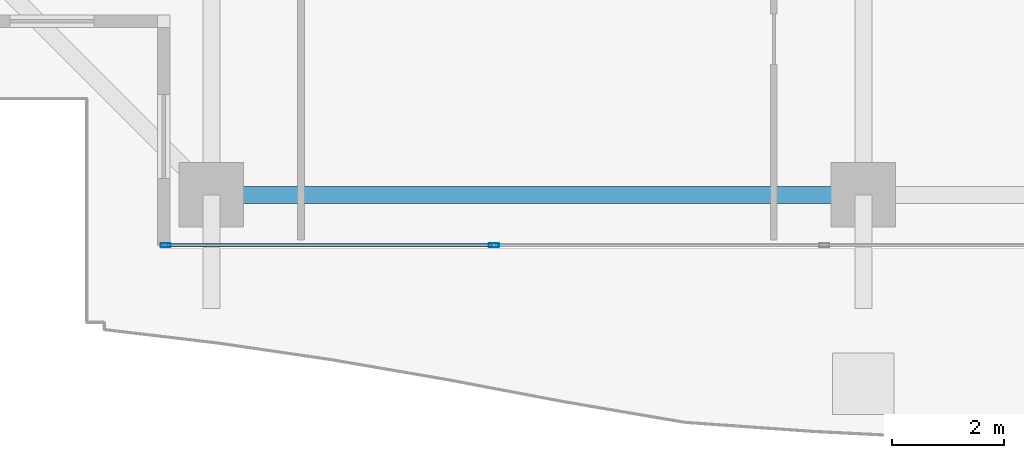
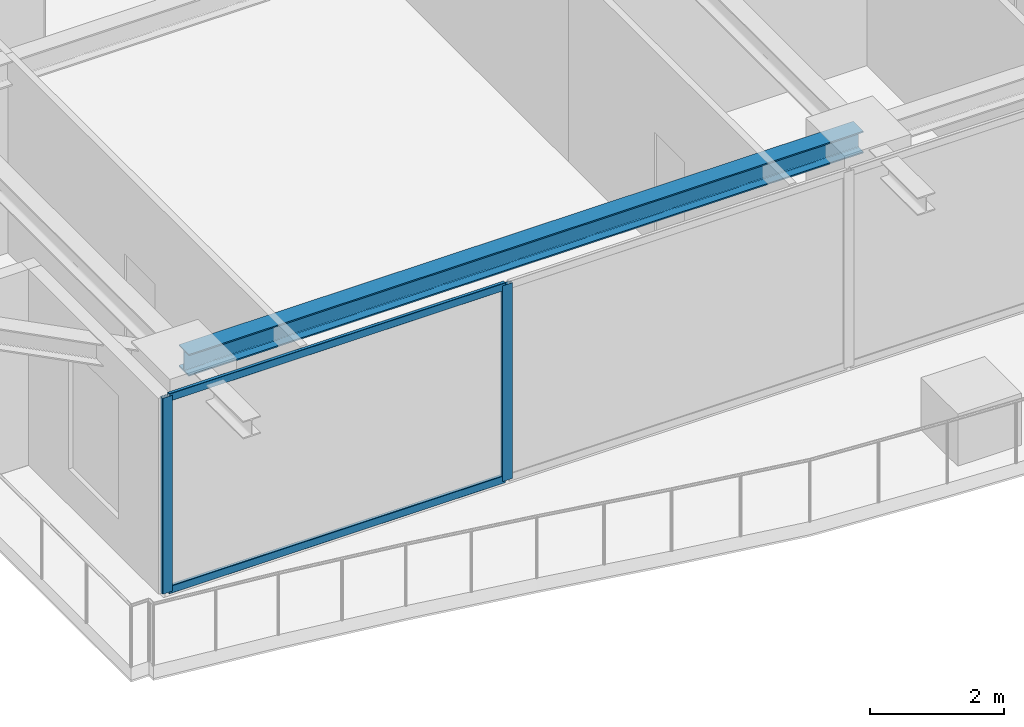
# One storey, part 2 of 38: 4 members, 1 beam, 1 element without a shape of its own.
"""IFC4 building model written with IfcOpenShell, lengths in metres."""

from ifc_helpers import new_model, si_unit, direction, frame, origin, origin_2d, place, context, subcontext, project, spatial, hollow_rectangle, i_section, extrude, source, transform, mapped, material, layer, layer_set, material_profile, profile_set, type_object, element, aggregate, save


model = new_model("IFC4")

# Units and contexts
model_context = context("Model", 3, precision=1e-05, world=origin(), true_north=direction((0.0, 1.0)))
body_context = subcontext(model_context, "Body", "Model", "MODEL_VIEW")
ifc_project = project(units=[si_unit("LENGTHUNIT", "METRE"), si_unit("AREAUNIT", "SQUARE_METRE"), si_unit("VOLUMEUNIT", "CUBIC_METRE"), si_unit("PLANEANGLEUNIT", "RADIAN"), si_unit("MASSUNIT", "GRAM", prefix="KILO")], contexts=[model_context])

# Site, building, storey
site_placement = place(None, origin())
site = spatial("IfcSite", under=ifc_project, at=site_placement, CompositionType="ELEMENT")
building_placement = place(site_placement, origin())
building = spatial("IfcBuilding", under=site, at=building_placement, Name="Serunith Strait Residences", CompositionType="ELEMENT")
storey_placement = place(building_placement, frame((0.0, 0.0, 229.699951171875)))
storey = spatial("IfcBuildingStorey", under=building, at=storey_placement, Name="L57", CompositionType="ELEMENT", Elevation=229.699951171875)

# Beam
ifc_material_1 = material(Name="Steel S355J2", Category="steel")
ifc_material_profile_1 = material_profile(ifc_material_1, i_section(OverallWidth=0.300048828125, OverallDepth=0.39990234375, WebThickness=0.013427734375, FlangeThickness=0.02392578125, FilletRadius=0.027099609375, at=origin_2d()), Name="HEB 400")
ifc_profile_set_1 = profile_set([ifc_material_profile_1], Name="Steel S355J2")
beam_type = type_object("IfcBeamType", Name="BM-HEB400", PredefinedType="BEAM", material=ifc_profile_set_1)
shared_shape_1 = source(origin(), body_context, "Body", "SweptSolid", [
    extrude(i_section(OverallWidth=0.300048828125, OverallDepth=0.39990234375, WebThickness=0.013427734375, FlangeThickness=0.02392578125, FilletRadius=0.027099609375, at=origin_2d()), origin(), (0.0, 0.0, 1.0), 11.64990234375),
])
beam_placement = place(storey_placement, frame((16.25, 2.10009765625, 3.386962890625), z_axis=(1.0, 0.0, 0.0), x_axis=(0.0, 1.0, 0.0)))
element("IfcBeam", 1, at=beam_placement, inside=storey, type_object=beam_type, Name="L57 Perimeter Ring Beam 01", PredefinedType="BEAM", context=body_context, shape_type="MappedRepresentation", body=[
    mapped(shared_shape_1, transform((0.0, 0.0, 0.0), scale=1.0)),
])

# Curtain wall, members
ifc_material_2 = material(Name="Pale-Champagne Anodised Aluminium", Category="aluminium")
ifc_layer = layer(ifc_material_2, 0.199951171875, Name="Pale-Champagne Anodised Aluminium")
ifc_layer_set = layer_set([ifc_layer], Name="Pale-Champagne Anodised Aluminium")
curtain_wall_type = type_object("IfcCurtainWallType", Name="CW-SYS4", PredefinedType="NOTDEFINED", material=ifc_layer_set)
curtain_wall_placement = place(storey_placement, origin())
curtain_wall = element("IfcCurtainWall", 2, at=curtain_wall_placement, inside=storey, type_object=curtain_wall_type, Name="L57 S Unitised Fritted Curtain Wall", PredefinedType="NOTDEFINED")
ifc_material_profile_2 = material_profile(ifc_material_2, hollow_rectangle(XDim=0.06494140625, YDim=0.179931640625, WallThickness=0.00341796875, InnerFilletRadius=0.00537109375, OuterFilletRadius=0.0087890625, at=origin_2d()), Name="ALU 180x65x3.5")
ifc_profile_set_2 = profile_set([ifc_material_profile_2], Name="Pale-Champagne Anodised Aluminium")
member_type_1 = type_object("IfcMemberType", Name="CW-SYS4-MULL", PredefinedType="MULLION", material=ifc_profile_set_2)
shared_shape_2 = source(origin(), body_context, "Body", "SweptSolid", [
    extrude(hollow_rectangle(XDim=0.06494140625, YDim=0.179931640625, WallThickness=0.00341796875, InnerFilletRadius=0.00537109375, OuterFilletRadius=0.0087890625, at=origin_2d()), origin(), (0.0, 0.0, 1.0), 3.574951171875),
])
member_1_placement = place(storey_placement, frame((15.4326171875, 1.199951171875, 0.0), z_axis=(0.0, 0.0, 1.0), x_axis=(0.0, 1.0, 0.0)))
member_1 = element("IfcMember", 3, at=member_1_placement, type_object=member_type_1, Name="CW-4 mullion 1", PredefinedType="MULLION", context=body_context, shape_type="MappedRepresentation", body=[
    mapped(shared_shape_2, transform((0.0, 0.0, 0.0), scale=1.0)),
])
member_2_placement = place(storey_placement, frame((21.300048828125, 1.199951171875, 0.0), z_axis=(0.0, 0.0, 1.0), x_axis=(0.0, 1.0, 0.0)))
member_2 = element("IfcMember", 4, at=member_2_placement, type_object=member_type_1, Name="CW-4 mullion 2", PredefinedType="MULLION", context=body_context, shape_type="MappedRepresentation", body=[
    mapped(shared_shape_2, transform((0.0, 0.0, 0.0), scale=1.0)),
])
ifc_material_profile_3 = material_profile(ifc_material_2, hollow_rectangle(XDim=0.06005859375, YDim=0.139892578125, WallThickness=0.00341796875, InnerFilletRadius=0.00537109375, OuterFilletRadius=0.0087890625, at=origin_2d()), Name="ALU 140x60x3.5")
ifc_profile_set_3 = profile_set([ifc_material_profile_3], Name="Pale-Champagne Anodised Aluminium")
member_type_2 = type_object("IfcMemberType", Name="CW-SYS4-TRAN", PredefinedType="USERDEFINED", material=ifc_profile_set_3)
shared_shape_3 = source(origin(), body_context, "Body", "SweptSolid", [
    extrude(hollow_rectangle(XDim=0.06005859375, YDim=0.139892578125, WallThickness=0.00341796875, InnerFilletRadius=0.00537109375, OuterFilletRadius=0.0087890625, at=origin_2d()), origin(), (0.0, 0.0, 1.0), 5.802490234375),
])
member_3_placement = place(storey_placement, frame((15.465087890625, 1.199951171875, 0.030029296875), z_axis=(1.0, 0.0, 0.0), x_axis=(0.0, 1.0, 0.0)))
member_3 = element("IfcMember", 5, at=member_3_placement, type_object=member_type_2, Name="CW-4 transom 1.1", ObjectType="TRANSOM", PredefinedType="USERDEFINED", context=body_context, shape_type="MappedRepresentation", body=[
    mapped(shared_shape_3, transform((0.0, 0.0, 0.0), scale=1.0)),
])
member_4_placement = place(storey_placement, frame((15.465087890625, 1.199951171875, 3.545166015625), z_axis=(1.0, 0.0, 0.0), x_axis=(0.0, 1.0, 0.0)))
member_4 = element("IfcMember", 6, at=member_4_placement, type_object=member_type_2, Name="CW-4 transom 1.2", ObjectType="TRANSOM", PredefinedType="USERDEFINED", context=body_context, shape_type="MappedRepresentation", body=[
    mapped(shared_shape_3, transform((0.0, 0.0, 0.0), scale=1.0)),
])
aggregate(curtain_wall, [member_1, member_2, member_3, member_4])

save(model, "model.ifc")
